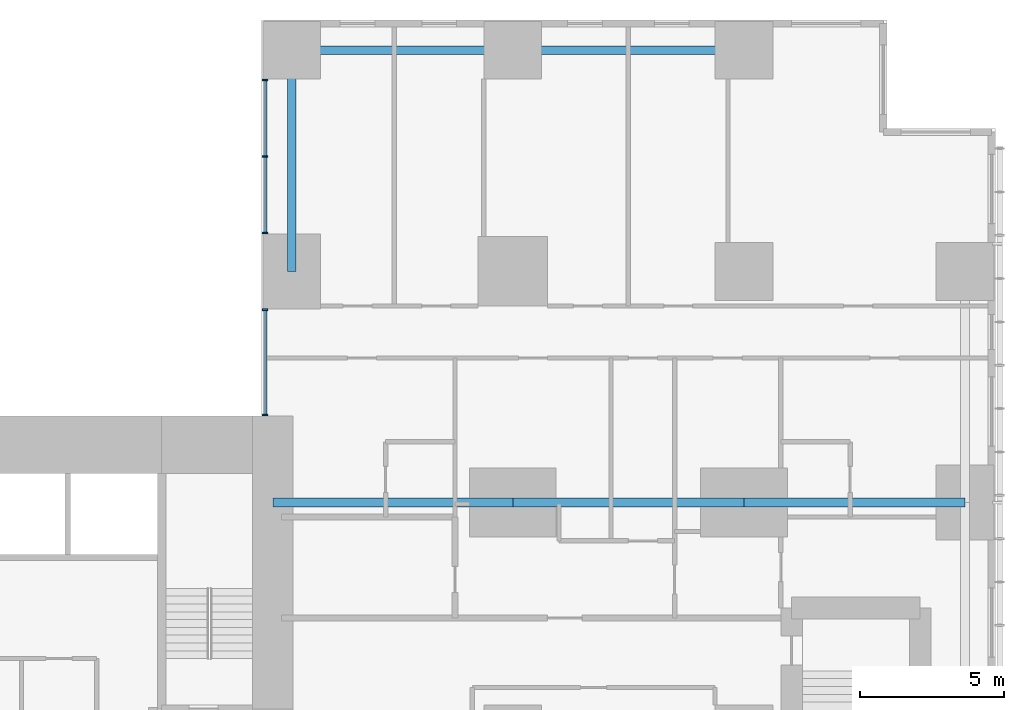
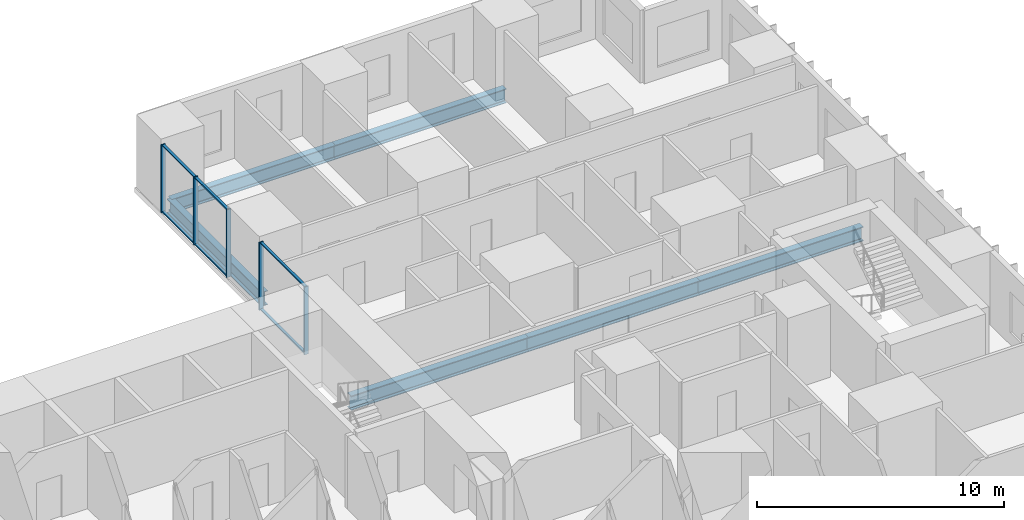
# One storey, part 5 of 20: 11 members, 6 beams, 2 elements without a shape of their own.
"""IFC4 building model written with IfcOpenShell, lengths in metres."""

from ifc_helpers import new_model, si_unit, direction, frame, origin, origin_2d, place, context, subcontext, project, spatial, rectangle, i_section, extrude, material, layer, layer_set, material_profile, profile_set, type_object, element, aggregate, save


model = new_model("IFC4")

# Units and contexts
model_context = context("Model", 3, precision=1e-05, world=origin(), true_north=direction((0.0, 1.0)))
body_context = subcontext(model_context, "Body", "Model", "MODEL_VIEW")
ifc_project = project(units=[si_unit("LENGTHUNIT", "METRE"), si_unit("AREAUNIT", "SQUARE_METRE"), si_unit("VOLUMEUNIT", "CUBIC_METRE"), si_unit("PLANEANGLEUNIT", "RADIAN"), si_unit("MASSUNIT", "GRAM", prefix="KILO")], contexts=[model_context])

# Site, building, storey
site_placement = place(None, origin())
site = spatial("IfcSite", under=ifc_project, at=site_placement, CompositionType="ELEMENT")
building_placement = place(site_placement, origin())
building = spatial("IfcBuilding", under=site, at=building_placement, Name="Cleftline Residences", CompositionType="ELEMENT")
storey_placement = place(building_placement, frame((0.0, 0.0, 51.199951171875)))
storey = spatial("IfcBuildingStorey", under=building, at=storey_placement, Name="L12", CompositionType="ELEMENT", Elevation=51.199951171875)

# Beams
ifc_material_1 = material(Name="Steel S355", Category="steel")
ifc_material_profile_1 = material_profile(ifc_material_1, i_section(OverallWidth=0.300048828125, OverallDepth=0.699951171875, WebThickness=0.01708984375, FlangeThickness=0.031982421875, FilletRadius=0.027099609375, at=origin_2d()))
ifc_profile_set_1 = profile_set([ifc_material_profile_1], Name="Steel S355")
beam_type_1 = type_object("IfcBeamType", Name="BEAM HEB 700", PredefinedType="BEAM", material=ifc_profile_set_1)
beam_1_placement = place(storey_placement, frame((58.0, 47.64990234375, -0.599853515625), z_axis=(-1.0, 0.0, 0.0), x_axis=(0.0, -1.0, 0.0)))
element("IfcBeam", 1, at=beam_1_placement, inside=storey, type_object=beam_type_1, Name="Edge beam", PredefinedType="BEAM", context=body_context, shape_type="SweptSolid", body=[
    extrude(i_section(OverallWidth=0.300048828125, OverallDepth=0.699951171875, WebThickness=0.01708984375, FlangeThickness=0.031982421875, FilletRadius=0.027099609375, at=origin_2d()), origin(), (0.0, 0.0, 1.0), 8.0),
])
for number, where, z_axis, x_axis, name in (
    (2, (50.0, 47.64990234375, -0.599853515625), (-1.0, 0.0, 0.0), (0.0, -1.0, 0.0), "Edge beam"),
    (3, (42.35009765625, 47.64990234375, -0.599853515625), (0.0, -1.0, 0.0), (1.0, 0.0, 0.0), "Edge beam"),
):
    element("IfcBeam", number, at=place(storey_placement, frame(where, z_axis=z_axis, x_axis=x_axis)), inside=storey, type_object=beam_type_1, Name=name, PredefinedType="BEAM", context=body_context, shape_type="SweptSolid", body=[
        extrude(i_section(OverallWidth=0.300048828125, OverallDepth=0.699951171875, WebThickness=0.01708984375, FlangeThickness=0.031982421875, FilletRadius=0.027099609375, at=origin_2d()), origin(), (0.0, 0.0, 1.0), 7.64990234375),
    ])
ifc_material_2 = material(Name="Steel S355", Category="steel")
ifc_material_profile_2 = material_profile(ifc_material_2, i_section(OverallWidth=0.303955078125, OverallDepth=0.716064453125, WebThickness=0.02099609375, FlangeThickness=0.0400390625, FilletRadius=0.027099609375, at=origin_2d()))
ifc_profile_set_2 = profile_set([ifc_material_profile_2], Name="Steel S355")
beam_type_2 = type_object("IfcBeamType", Name="BEAM HEM 700", PredefinedType="BEAM", material=ifc_profile_set_2)
beam_2_placement = place(storey_placement, frame((65.64990234375, 32.0, -0.60791015625), z_axis=(-1.0, 0.0, 0.0), x_axis=(0.0, -1.0, 0.0)))
element("IfcBeam", 4, at=beam_2_placement, inside=storey, type_object=beam_type_2, Name="Band beam", PredefinedType="BEAM", context=body_context, shape_type="SweptSolid", body=[
    extrude(i_section(OverallWidth=0.303955078125, OverallDepth=0.716064453125, WebThickness=0.02099609375, FlangeThickness=0.0400390625, FilletRadius=0.027099609375, at=origin_2d()), origin(), (0.0, 0.0, 1.0), 7.64990234375),
])
beam_3_placement = place(storey_placement, frame((58.0, 32.0, -0.60791015625), z_axis=(-1.0, 0.0, 0.0), x_axis=(0.0, -1.0, 0.0)))
element("IfcBeam", 5, at=beam_3_placement, inside=storey, type_object=beam_type_2, Name="Band beam", PredefinedType="BEAM", context=body_context, shape_type="SweptSolid", body=[
    extrude(i_section(OverallWidth=0.303955078125, OverallDepth=0.716064453125, WebThickness=0.02099609375, FlangeThickness=0.0400390625, FilletRadius=0.027099609375, at=origin_2d()), origin(), (0.0, 0.0, 1.0), 8.0),
])
beam_4_placement = place(storey_placement, frame((50.0, 32.0, -0.60791015625), z_axis=(-1.0, 0.0, 0.0), x_axis=(0.0, -1.0, 0.0)))
element("IfcBeam", 6, at=beam_4_placement, inside=storey, type_object=beam_type_2, Name="Band beam", PredefinedType="BEAM", context=body_context, shape_type="SweptSolid", body=[
    extrude(i_section(OverallWidth=0.303955078125, OverallDepth=0.716064453125, WebThickness=0.02099609375, FlangeThickness=0.0400390625, FilletRadius=0.027099609375, at=origin_2d()), origin(), (0.0, 0.0, 1.0), 8.300048828125),
])

# Curtain wall, members
ifc_material_3 = material(Name="Aluminium framed curtain wall", Category="aluminium")
ifc_layer = layer(ifc_material_3, 0.199951171875)
ifc_layer_set = layer_set([ifc_layer], Name="CW1 CLEFT GLAZING")
curtain_wall_type = type_object("IfcCurtainWallType", Name="CW1 CLEFT GLAZING", PredefinedType="NOTDEFINED", material=ifc_layer_set)
curtain_wall_1_placement = place(storey_placement, origin())
curtain_wall_1 = element("IfcCurtainWall", 7, at=curtain_wall_1_placement, inside=storey, type_object=curtain_wall_type, Name="Curtain wall CW1", PredefinedType="NOTDEFINED")
ifc_material_4 = material(Name="Aluminium mullion", Category="aluminium")
ifc_material_profile_3 = material_profile(ifc_material_4, rectangle(XDim=0.199951171875, YDim=0.06005859375, at=origin_2d()))
ifc_profile_set_3 = profile_set([ifc_material_profile_3], Name="Aluminium mullion")
member_type_1 = type_object("IfcMemberType", Name="CW1 MULLION", PredefinedType="MULLION", material=ifc_profile_set_3)
member_1_placement = place(storey_placement, frame((41.425048828125, 46.6201171875, 0.0), z_axis=(0.0, 0.0, 1.0), x_axis=(1.0, 0.0, 0.0)))
member_1 = element("IfcMember", 8, at=member_1_placement, type_object=member_type_1, Name="CW1 mullion 1", PredefinedType="MULLION", context=body_context, shape_type="SweptSolid", body=[
    extrude(rectangle(XDim=0.199951171875, YDim=0.06005859375, at=origin_2d()), origin(), (0.0, 0.0, 1.0), 3.35009765625),
])
member_2_placement = place(storey_placement, frame((41.425048828125, 43.97509765625, 0.0), z_axis=(0.0, 0.0, 1.0), x_axis=(1.0, 0.0, 0.0)))
member_2 = element("IfcMember", 9, at=member_2_placement, type_object=member_type_1, Name="CW1 mullion 2", PredefinedType="MULLION", context=body_context, shape_type="SweptSolid", body=[
    extrude(rectangle(XDim=0.199951171875, YDim=0.06005859375, at=origin_2d()), origin(), (0.0, 0.0, 1.0), 3.35009765625),
])
member_3_placement = place(storey_placement, frame((41.425048828125, 41.330078125, 0.0), z_axis=(0.0, 0.0, 1.0), x_axis=(1.0, 0.0, 0.0)))
member_3 = element("IfcMember", 10, at=member_3_placement, type_object=member_type_1, Name="CW1 mullion 3", PredefinedType="MULLION", context=body_context, shape_type="SweptSolid", body=[
    extrude(rectangle(XDim=0.199951171875, YDim=0.06005859375, at=origin_2d()), origin(), (0.0, 0.0, 1.0), 3.35009765625),
])

curtain_wall_2_placement = place(storey_placement, origin())
curtain_wall_2 = element("IfcCurtainWall", 11, at=curtain_wall_2_placement, inside=storey, type_object=curtain_wall_type, Name="Curtain wall CW1", PredefinedType="NOTDEFINED")
member_4_placement = place(storey_placement, frame((41.425048828125, 38.669921875, 0.0), z_axis=(0.0, 0.0, 1.0), x_axis=(1.0, 0.0, 0.0)))
member_4 = element("IfcMember", 12, at=member_4_placement, type_object=member_type_1, Name="CW1 mullion 1", PredefinedType="MULLION", context=body_context, shape_type="SweptSolid", body=[
    extrude(rectangle(XDim=0.199951171875, YDim=0.06005859375, at=origin_2d()), origin(), (0.0, 0.0, 1.0), 3.35009765625),
])
member_5_placement = place(storey_placement, frame((41.425048828125, 35.030029296875, 0.0), z_axis=(0.0, 0.0, 1.0), x_axis=(1.0, 0.0, 0.0)))
member_5 = element("IfcMember", 13, at=member_5_placement, type_object=member_type_1, Name="CW1 mullion 2", PredefinedType="MULLION", context=body_context, shape_type="SweptSolid", body=[
    extrude(rectangle(XDim=0.199951171875, YDim=0.06005859375, at=origin_2d()), origin(), (0.0, 0.0, 1.0), 3.35009765625),
])

# Member
ifc_material_5 = material(Name="Aluminium transom", Category="aluminium")
ifc_material_profile_4 = material_profile(ifc_material_5, rectangle(XDim=0.1201171875, YDim=0.06005859375, at=origin_2d()))
ifc_profile_set_4 = profile_set([ifc_material_profile_4], Name="Aluminium transom")
member_type_2 = type_object("IfcMemberType", Name="CW1 TRANSOM", PredefinedType="USERDEFINED", material=ifc_profile_set_4)
member_6_placement = place(storey_placement, frame((41.425048828125, 46.590087890625, 0.030029296875), z_axis=(0.0, -1.0, 0.0), x_axis=(1.0, 0.0, 0.0)))
member_6 = element("IfcMember", 14, at=member_6_placement, type_object=member_type_2, Name="CW1 transom 1.1", ObjectType="TRANSOM", PredefinedType="USERDEFINED", context=body_context, shape_type="SweptSolid", body=[
    extrude(rectangle(XDim=0.1201171875, YDim=0.06005859375, at=origin_2d()), origin(), (0.0, 0.0, 1.0), 2.585205078125),
])

member_7_placement = place(storey_placement, frame((41.425048828125, 46.590087890625, 3.320068359375), z_axis=(0.0, -1.0, 0.0), x_axis=(1.0, 0.0, 0.0)))
member_7 = element("IfcMember", 15, at=member_7_placement, type_object=member_type_2, Name="CW1 transom 1.2", ObjectType="TRANSOM", PredefinedType="USERDEFINED", context=body_context, shape_type="SweptSolid", body=[
    extrude(rectangle(XDim=0.1201171875, YDim=0.06005859375, at=origin_2d()), origin(), (0.0, 0.0, 1.0), 2.585205078125),
])

member_8_placement = place(storey_placement, frame((41.425048828125, 43.945068359375, 0.030029296875), z_axis=(0.0, -1.0, 0.0), x_axis=(1.0, 0.0, 0.0)))
member_8 = element("IfcMember", 16, at=member_8_placement, type_object=member_type_2, Name="CW1 transom 2.1", ObjectType="TRANSOM", PredefinedType="USERDEFINED", context=body_context, shape_type="SweptSolid", body=[
    extrude(rectangle(XDim=0.1201171875, YDim=0.06005859375, at=origin_2d()), origin(), (0.0, 0.0, 1.0), 2.5849609375),
])

member_9_placement = place(storey_placement, frame((41.425048828125, 43.945068359375, 3.320068359375), z_axis=(0.0, -1.0, 0.0), x_axis=(1.0, 0.0, 0.0)))
member_9 = element("IfcMember", 17, at=member_9_placement, type_object=member_type_2, Name="CW1 transom 2.2", ObjectType="TRANSOM", PredefinedType="USERDEFINED", context=body_context, shape_type="SweptSolid", body=[
    extrude(rectangle(XDim=0.1201171875, YDim=0.06005859375, at=origin_2d()), origin(), (0.0, 0.0, 1.0), 2.5849609375),
])

aggregate(curtain_wall_1, [member_1, member_2, member_3, member_6, member_7, member_8, member_9])

member_10_placement = place(storey_placement, frame((41.425048828125, 38.639892578125, 0.030029296875), z_axis=(0.0, -1.0, 0.0), x_axis=(1.0, 0.0, 0.0)))
member_10 = element("IfcMember", 18, at=member_10_placement, type_object=member_type_2, Name="CW1 transom 1.1", ObjectType="TRANSOM", PredefinedType="USERDEFINED", context=body_context, shape_type="SweptSolid", body=[
    extrude(rectangle(XDim=0.1201171875, YDim=0.06005859375, at=origin_2d()), origin(), (0.0, 0.0, 1.0), 3.579833984375),
])

member_11_placement = place(storey_placement, frame((41.425048828125, 38.639892578125, 3.320068359375), z_axis=(0.0, -1.0, 0.0), x_axis=(1.0, 0.0, 0.0)))
member_11 = element("IfcMember", 19, at=member_11_placement, type_object=member_type_2, Name="CW1 transom 1.2", ObjectType="TRANSOM", PredefinedType="USERDEFINED", context=body_context, shape_type="SweptSolid", body=[
    extrude(rectangle(XDim=0.1201171875, YDim=0.06005859375, at=origin_2d()), origin(), (0.0, 0.0, 1.0), 3.579833984375),
])

aggregate(curtain_wall_2, [member_4, member_5, member_10, member_11])

save(model, "model.ifc")
